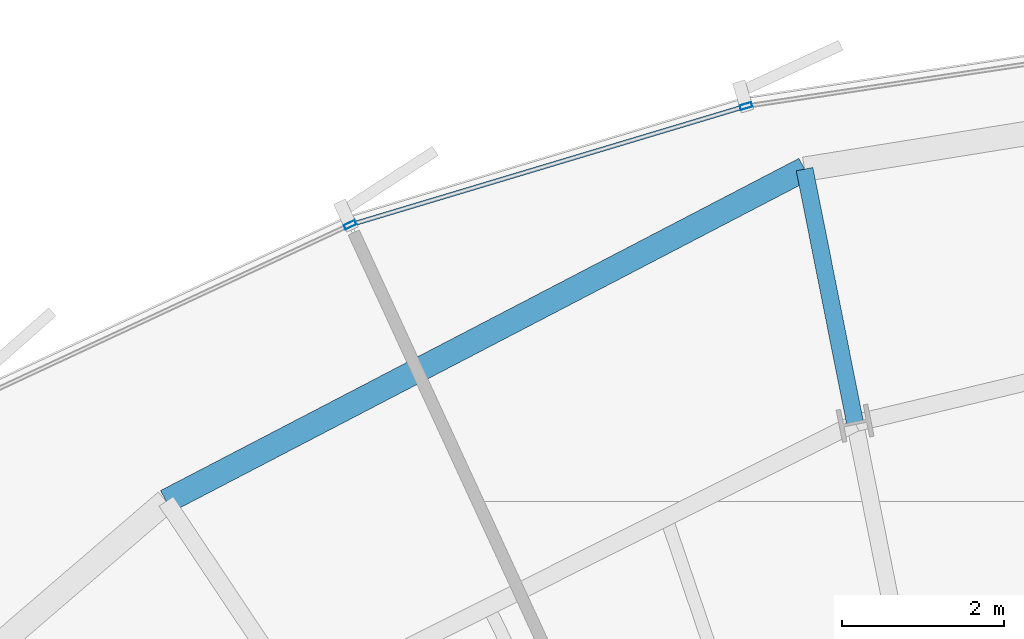
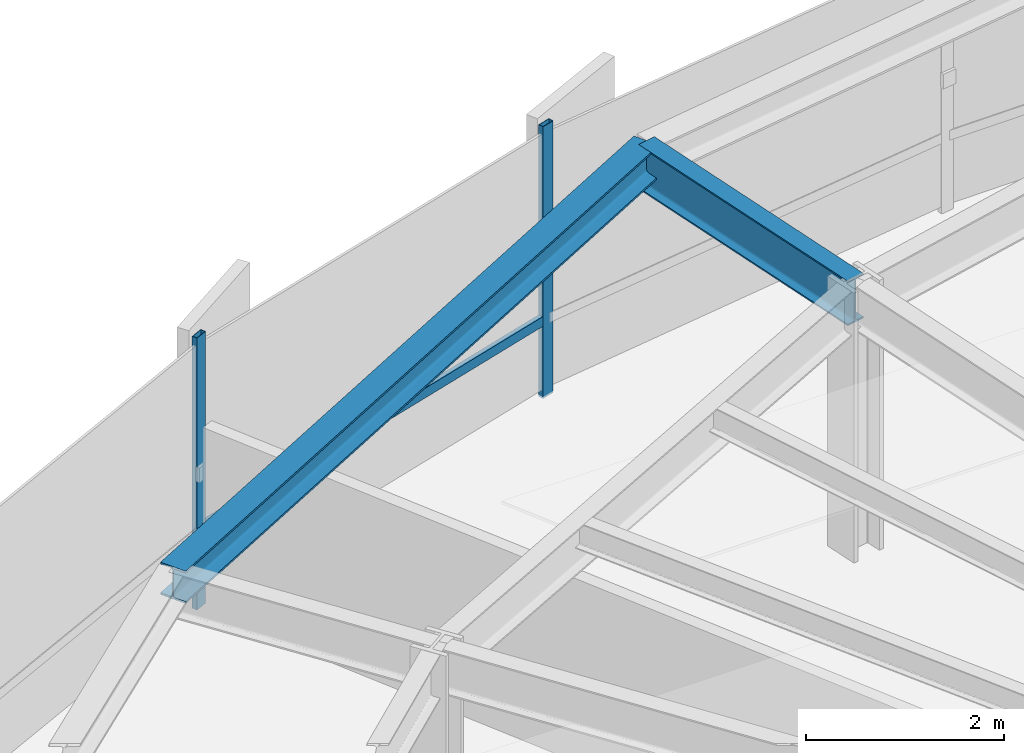
# One storey, part 20 of 35: 3 members, 2 beams, 1 element without a shape of its own.
"""IFC4 building model written with IfcOpenShell, lengths in metres."""

from ifc_helpers import new_model, si_unit, direction, frame, origin, origin_2d, place, context, subcontext, project, spatial, hollow_rectangle, i_section, extrude, source, transform, mapped, material, layer, layer_set, material_profile, profile_set, type_object, element, aggregate, save


model = new_model("IFC4")

# Units and contexts
model_context = context("Model", 3, precision=1e-05, world=origin(), true_north=direction((0.0, 1.0)))
body_context = subcontext(model_context, "Body", "Model", "MODEL_VIEW")
ifc_project = project(units=[si_unit("LENGTHUNIT", "METRE"), si_unit("AREAUNIT", "SQUARE_METRE"), si_unit("VOLUMEUNIT", "CUBIC_METRE"), si_unit("PLANEANGLEUNIT", "RADIAN"), si_unit("MASSUNIT", "GRAM", prefix="KILO"), si_unit("THERMODYNAMICTEMPERATUREUNIT", "KELVIN")], contexts=[model_context])

# Site, building, storey
site_placement = place(None, origin())
site = spatial("IfcSite", under=ifc_project, at=site_placement, CompositionType="ELEMENT")
building_placement = place(site_placement, origin())
building = spatial("IfcBuilding", under=site, at=building_placement, Name="Kethvar Cultural Tower", CompositionType="ELEMENT")
storey_placement = place(building_placement, frame((0.0, 0.0, 85.60009765625)))
storey = spatial("IfcBuildingStorey", under=building, at=storey_placement, Name="L20", CompositionType="ELEMENT", Elevation=85.60009765625)

# Beams
ifc_material_1 = material(Name="Steel S355J2", Category="steel")
ifc_material_profile_1 = material_profile(ifc_material_1, i_section(OverallWidth=0.2099609375, OverallDepth=0.550048828125, WebThickness=0.010986328125, FlangeThickness=0.01708984375, FilletRadius=0.02392578125, at=origin_2d()), Name="Steel S355J2 — IPE550")
ifc_profile_set_1 = profile_set([ifc_material_profile_1], Name="Steel S355J2 — IPE550")
beam_type_1 = type_object("IfcBeamType", Name="BM-IPE550", PredefinedType="BEAM", material=ifc_profile_set_1)
shared_shape_1 = source(origin(), body_context, "Body", "SweptSolid", [
    extrude(i_section(OverallWidth=0.2099609375, OverallDepth=0.550048828125, WebThickness=0.010986328125, FlangeThickness=0.01708984375, FilletRadius=0.02392578125, at=origin_2d()), origin(), (0.0, 0.0, 1.0), 3.199951171875),
])
beam_1_placement = place(storey_placement, frame((42.9189453125, 47.311279296875, 3.072998046875), z_axis=(-0.195088965533, 0.980785550224, 0.0), x_axis=(-0.980785550224, -0.195088965533, 0.0)))
element("IfcBeam", 1, at=beam_1_placement, inside=storey, type_object=beam_type_1, Name="L20 Perimeter Cantilever Beam RC-05", PredefinedType="BEAM", context=body_context, shape_type="MappedRepresentation", body=[
    mapped(shared_shape_1, transform((0.0, 0.0, 0.0), scale=1.0)),
])
ifc_material_profile_2 = material_profile(ifc_material_1, i_section(OverallWidth=0.300048828125, OverallDepth=0.39990234375, WebThickness=0.013427734375, FlangeThickness=0.02392578125, FilletRadius=0.027099609375, at=origin_2d()), Name="Steel S355J2 — HEB400")
ifc_profile_set_2 = profile_set([ifc_material_profile_2], Name="Steel S355J2 — HEB400")
beam_type_2 = type_object("IfcBeamType", Name="BM-SP400", PredefinedType="SPANDREL", material=ifc_profile_set_2)
shared_shape_2 = source(origin(), body_context, "Body", "SweptSolid", [
    extrude(i_section(OverallWidth=0.300048828125, OverallDepth=0.39990234375, WebThickness=0.013427734375, FlangeThickness=0.02392578125, FilletRadius=0.027099609375, at=origin_2d()), origin(), (0.0, 0.0, 1.0), 8.890380859375),
])
beam_2_placement = place(storey_placement, frame((42.294677734375, 50.44970703125, 3.14794921875), z_axis=(-0.887076930062, -0.461621620108, 0.0), x_axis=(0.461621620108, -0.887076930062, 0.0)))
element("IfcBeam", 2, at=beam_2_placement, inside=storey, type_object=beam_type_2, Name="L20 Perimeter Spandrel Beam SP-05", PredefinedType="SPANDREL", context=body_context, shape_type="MappedRepresentation", body=[
    mapped(shared_shape_2, transform((0.0, 0.0, 0.0), scale=1.0)),
])

# Curtain wall, members
ifc_material_2 = material(Name="Aluminium 6063-T6", Category="aluminium")
ifc_layer = layer(ifc_material_2, 0.179931640625, Name="Aluminium 6063-T6", Category="aluminium")
ifc_layer_set = layer_set([ifc_layer], Name="Aluminium 6063-T6 (180 mm)")
curtain_wall_type = type_object("IfcCurtainWallType", Name="CW-SYS-03-Z2", PredefinedType="NOTDEFINED", material=ifc_layer_set)
curtain_wall_placement = place(storey_placement, origin())
curtain_wall = element("IfcCurtainWall", 3, at=curtain_wall_placement, inside=storey, type_object=curtain_wall_type, Name="L20 Curtain Wall Run 02", PredefinedType="NOTDEFINED")
ifc_material_profile_3 = material_profile(ifc_material_2, hollow_rectangle(XDim=0.06005859375, YDim=0.14990234375, WallThickness=0.0048828125, at=origin_2d()), Name="Aluminium 6063-T6 — RHS150x60x5")
ifc_profile_set_3 = profile_set([ifc_material_profile_3], Name="Aluminium 6063-T6 — RHS150x60x5")
member_type_1 = type_object("IfcMemberType", Name="CW-SYS-03-Z2-MUL", PredefinedType="MULLION", material=ifc_profile_set_3)
shared_shape_3 = source(origin(), body_context, "Body", "SweptSolid", [
    extrude(hollow_rectangle(XDim=0.06005859375, YDim=0.14990234375, WallThickness=0.0048828125, at=origin_2d()), origin(), (0.0, 0.0, 1.0), 3.349853515625),
])
member_1_placement = place(storey_placement, frame((41.571533203125, 51.228515625, 0.0), z_axis=(0.0, 0.0, 1.0), x_axis=(0.287393953987, -0.957812463487, 0.0)))
member_1 = element("IfcMember", 4, at=member_1_placement, type_object=member_type_1, Name="CW-L20-R02 Mullion 4", PredefinedType="MULLION", context=body_context, shape_type="MappedRepresentation", body=[
    mapped(shared_shape_3, transform((0.0, 0.0, 0.0), scale=1.0)),
])
member_2_placement = place(storey_placement, frame((36.680908203125, 49.762451171875, 0.0), z_axis=(0.0, 0.0, 1.0), x_axis=(0.422444255349, -0.906388907215, 0.0)))
member_2 = element("IfcMember", 5, at=member_2_placement, type_object=member_type_1, Name="CW-L20-R02 Mullion 5", PredefinedType="MULLION", context=body_context, shape_type="MappedRepresentation", body=[
    mapped(shared_shape_3, transform((0.0, 0.0, 0.0), scale=1.0)),
])
ifc_material_profile_4 = material_profile(ifc_material_2, hollow_rectangle(XDim=0.054931640625, YDim=0.1201171875, WallThickness=0.00390625, at=origin_2d()), Name="Aluminium 6063-T6 — RHS120x55x4")
ifc_profile_set_4 = profile_set([ifc_material_profile_4], Name="Aluminium 6063-T6 — RHS120x55x4")
member_type_2 = type_object("IfcMemberType", Name="CW-SYS-03-Z2-TRN", PredefinedType="USERDEFINED", material=ifc_profile_set_4)
shared_shape_4 = source(origin(), body_context, "Body", "SweptSolid", [
    extrude(hollow_rectangle(XDim=0.054931640625, YDim=0.1201171875, WallThickness=0.00390625, at=origin_2d()), origin(), (0.0, 0.0, 1.0), 5.035888671875),
])
member_3_placement = place(storey_placement, frame((41.5302734375, 51.216064453125, 0.949951171875), z_axis=(-0.957814275641, -0.287387914461, 0.0), x_axis=(0.287387914461, -0.957814275641, 0.0)))
member_3 = element("IfcMember", 6, at=member_3_placement, type_object=member_type_2, Name="CW-L20-R02 Transom 4", ObjectType="TRANSOM", PredefinedType="USERDEFINED", context=body_context, shape_type="MappedRepresentation", body=[
    mapped(shared_shape_4, transform((0.0, 0.0, 0.0), scale=1.0)),
])
aggregate(curtain_wall, [member_1, member_2, member_3])

save(model, "model.ifc")
